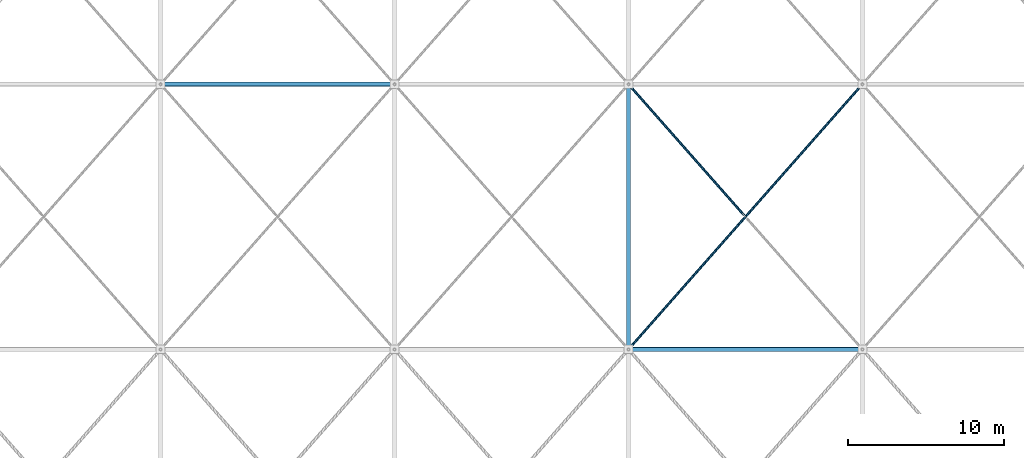
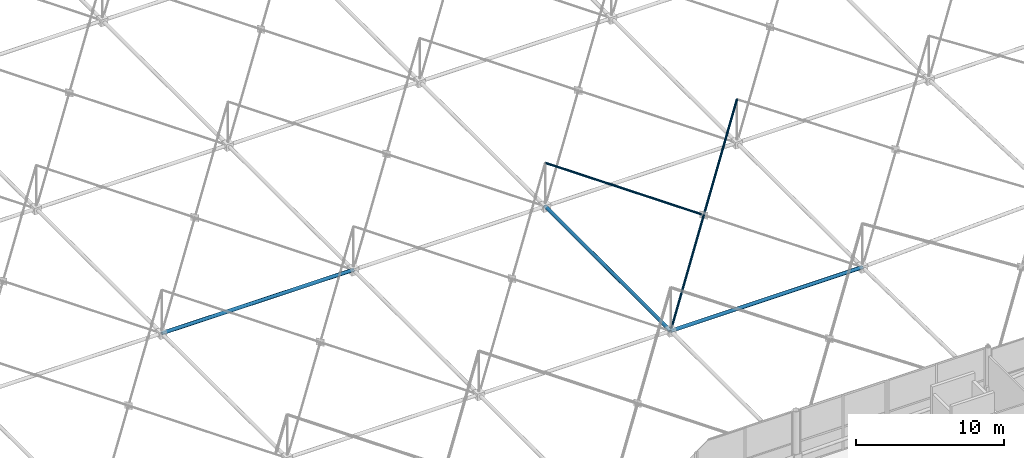
# One storey, part 55 of 224: 5 members.
"""IFC4 building model written with IfcOpenShell, lengths in metres."""

from ifc_helpers import new_model, si_unit, direction, frame, origin, origin_2d, place, context, subcontext, project, spatial, hollow_circle, extrude, material, material_profile, profile_set, type_object, element, save


model = new_model("IFC4")

# Units and contexts
model_context = context("Model", 3, precision=1e-05, world=origin(), true_north=direction((0.0, 1.0)))
body_context = subcontext(model_context, "Body", "Model", "MODEL_VIEW")
ifc_project = project(units=[si_unit("LENGTHUNIT", "METRE"), si_unit("AREAUNIT", "SQUARE_METRE"), si_unit("VOLUMEUNIT", "CUBIC_METRE"), si_unit("PLANEANGLEUNIT", "RADIAN"), si_unit("MASSUNIT", "GRAM", prefix="KILO")], contexts=[model_context])

# Site, building, storey
site_placement = place(None, origin())
site = spatial("IfcSite", under=ifc_project, at=site_placement, CompositionType="ELEMENT")
building_placement = place(site_placement, origin())
building = spatial("IfcBuilding", under=site, at=building_placement, Name="Qamarlyn Nura Convention Centre", CompositionType="ELEMENT")
storey_placement = place(building_placement, frame((0.0, 0.0, 10.800048828125)))
storey = spatial("IfcBuildingStorey", under=building, at=storey_placement, Name="L02", CompositionType="ELEMENT", Elevation=10.800048828125)

# Members
ifc_material = material(Name="Pearl-white PVDF steel ASTM A500 Grade C", Category="steel")
ifc_material_profile_1 = material_profile(ifc_material, hollow_circle(Radius=0.136474609375, WallThickness=0.012451171875, at=origin_2d()), Name="CHS273X12.5")
ifc_profile_set_1 = profile_set([ifc_material_profile_1], Name="Pearl-white PVDF steel ASTM A500 Grade C")
member_type_1 = type_object("IfcMemberType", Name="SF-BC-MAIN", PredefinedType="CHORD", material=ifc_profile_set_1)
for number, where, z_axis, x_axis, name in (
    (1, (75.0, 35.0, 0.800048828125), (0.999998155705, 0.0, 0.001920569375), (0.0, 1.0, 0.0), "ROOF TRUSS space frame bottom chord X7-3"),
    (2, (45.0, 52.0, 0.800048828125), (1.0, 0.0, 0.0), (0.0, 1.0, 0.0), "ROOF TRUSS space frame bottom chord X5-4"),
):
    element("IfcMember", number, at=place(storey_placement, frame(where, z_axis=z_axis, x_axis=x_axis)), inside=storey, type_object=member_type_1, Name=name, PredefinedType="CHORD", context=body_context, shape_type="SweptSolid", body=[
        extrude(hollow_circle(Radius=0.136474609375, WallThickness=0.012451171875, at=origin_2d()), origin(), (0.0, 0.0, 1.0), 15.0),
    ])
member_1_placement = place(storey_placement, frame((75.0, 35.0, 0.800048828125), z_axis=(0.0, 1.0, 0.0), x_axis=(-1.0, 0.0, 0.0)))
element("IfcMember", 3, at=member_1_placement, inside=storey, type_object=member_type_1, Name="ROOF TRUSS space frame bottom chord Y7-3", PredefinedType="CHORD", context=body_context, shape_type="SweptSolid", body=[
    extrude(hollow_circle(Radius=0.136474609375, WallThickness=0.012451171875, at=origin_2d()), origin(), (0.0, 0.0, 1.0), 17.0),
])
ifc_material_profile_2 = material_profile(ifc_material, hollow_circle(Radius=0.084228515625, WallThickness=0.008056640625, at=origin_2d()), Name="CHS168.3X8")
ifc_profile_set_2 = profile_set([ifc_material_profile_2], Name="Pearl-white PVDF steel ASTM A500 Grade C")
member_type_2 = type_object("IfcMemberType", Name="SF-WEB-STD", PredefinedType="BRACE", material=ifc_profile_set_2)
member_2_placement = place(storey_placement, frame((75.0, 35.0, 0.800048828125), z_axis=(0.653435715467, 0.74056047753, 0.156818190504), x_axis=(-0.749837855365, 0.661621637087, 0.0)))
element("IfcMember", 4, at=member_2_placement, inside=storey, type_object=member_type_2, Name="ROOF TRUSS space frame diagonal A 7-3", PredefinedType="BRACE", context=body_context, shape_type="SweptSolid", body=[
    extrude(hollow_circle(Radius=0.084228515625, WallThickness=0.008056640625, at=origin_2d()), origin(), (0.0, 0.0, 1.0), 22.95556640625),
])
member_3_placement = place(storey_placement, frame((82.408447265625, 43.603759765625, 2.62890625), z_axis=(-0.653498496367, 0.740631629216, 0.15621941317), x_axis=(-0.749837855365, -0.661621637087, 0.0)))
element("IfcMember", 5, at=member_3_placement, inside=storey, type_object=member_type_2, Name="ROOF TRUSS space frame split diagonal B2 7-3", PredefinedType="BRACE", context=body_context, shape_type="SweptSolid", body=[
    extrude(hollow_circle(Radius=0.084228515625, WallThickness=0.008056640625, at=origin_2d()), origin(), (0.0, 0.0, 1.0), 11.336669921875),
])

save(model, "model.ifc")
